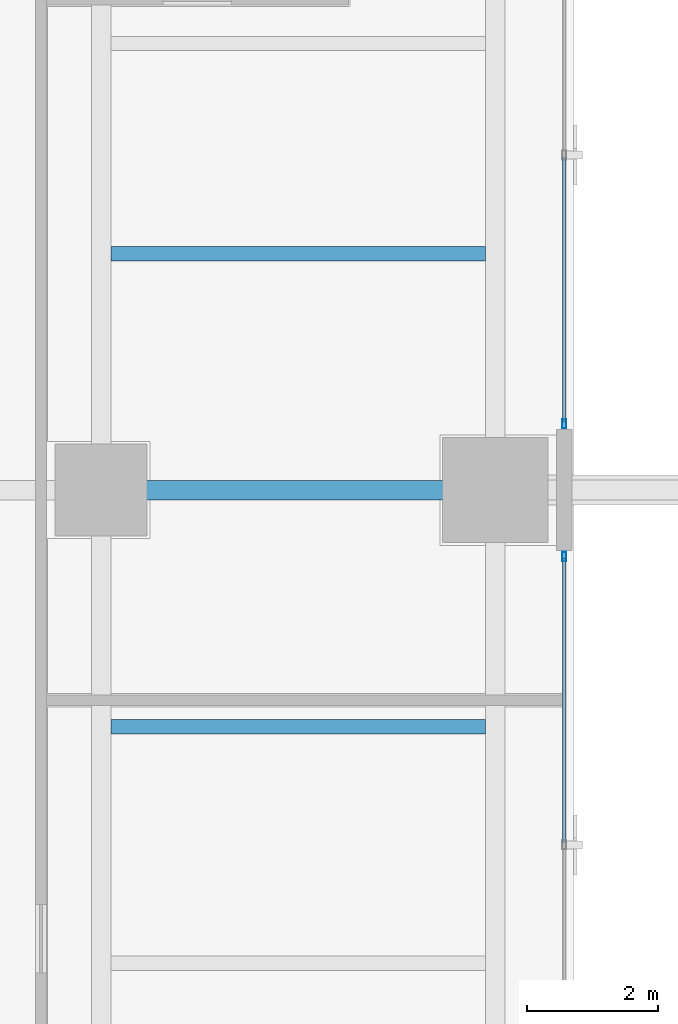
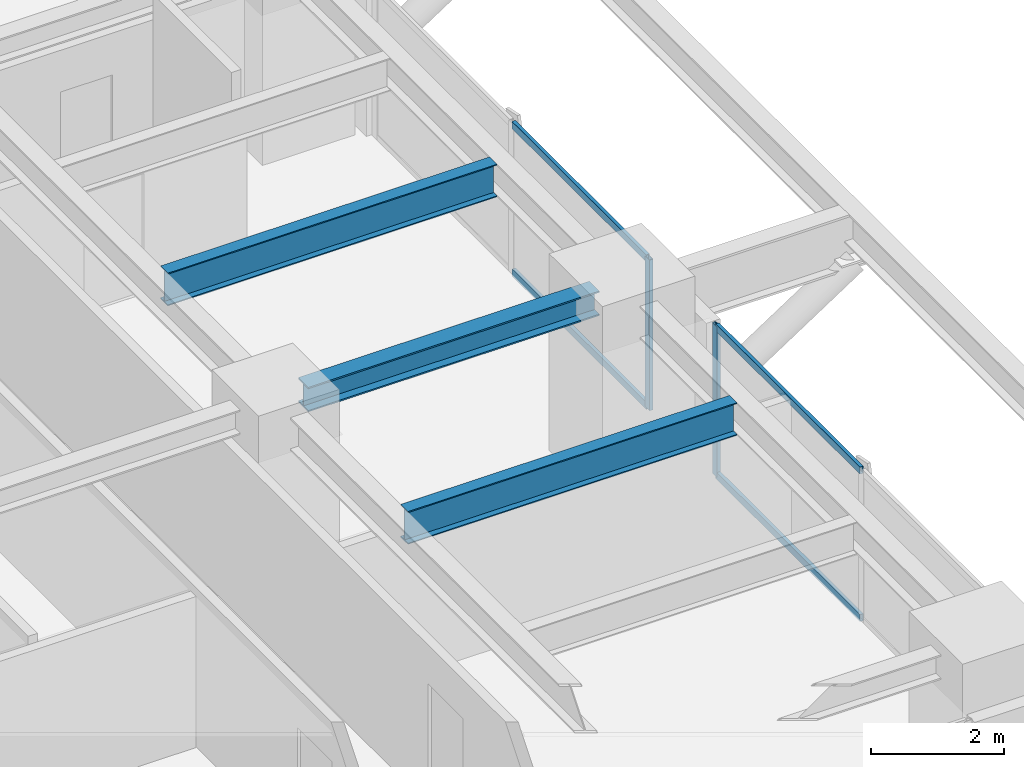
# One storey, part 15 of 31: 6 members, 3 beams, 2 elements without a shape of their own.
"""IFC4 building model written with IfcOpenShell, lengths in metres."""

from ifc_helpers import new_model, si_unit, direction, frame, origin, origin_2d, place, context, subcontext, project, spatial, hollow_rectangle, i_section, extrude, source, transform, mapped, material, layer, layer_set, material_profile, profile_set, type_object, element, aggregate, save


model = new_model("IFC4")

# Units and contexts
model_context = context("Model", 3, precision=1e-05, world=origin(), true_north=direction((0.0, 1.0)))
body_context = subcontext(model_context, "Body", "Model", "MODEL_VIEW")
ifc_project = project(units=[si_unit("LENGTHUNIT", "METRE"), si_unit("AREAUNIT", "SQUARE_METRE"), si_unit("VOLUMEUNIT", "CUBIC_METRE"), si_unit("PLANEANGLEUNIT", "RADIAN"), si_unit("MASSUNIT", "GRAM", prefix="KILO")], contexts=[model_context])

# Site, building, storey
site_placement = place(None, origin())
site = spatial("IfcSite", under=ifc_project, at=site_placement, CompositionType="ELEMENT")
building_placement = place(site_placement, origin())
building = spatial("IfcBuilding", under=site, at=building_placement, Name="Sumidabori Civic Tower", CompositionType="ELEMENT")
storey_placement = place(building_placement, frame((0.0, 0.0, 221.60009765625)))
storey = spatial("IfcBuildingStorey", under=building, at=storey_placement, Name="L57", CompositionType="ELEMENT", Elevation=221.60009765625)

# Beams
ifc_material_1 = material(Name="Steel SN490", Category="steel")
ifc_material_profile_1 = material_profile(ifc_material_1, i_section(OverallWidth=0.219970703125, OverallDepth=0.60009765625, WebThickness=0.011962890625, FlangeThickness=0.01904296875, at=origin_2d()), Name="IPE 600")
ifc_profile_set_1 = profile_set([ifc_material_profile_1], Name="Steel SN490")
beam_type_1 = type_object("IfcBeamType", Name="BM-JST-600", PredefinedType="JOIST", material=ifc_profile_set_1)
shared_shape_1 = source(origin(), body_context, "Body", "SweptSolid", [
    extrude(i_section(OverallWidth=0.219970703125, OverallDepth=0.60009765625, WebThickness=0.011962890625, FlangeThickness=0.01904296875, at=origin_2d()), origin(), (0.0, 0.0, 1.0), 5.699951171875),
])
for number, where, z_axis, x_axis, name in (
    (1, (16.949951171875, -3.60009765625, 3.079833984375), (1.0, 0.0, 0.0), (0.0, 1.0, 0.0), "Outer Bay Floor Joist L57 JSTO-28"),
    (2, (16.949951171875, 3.60009765625, 3.079833984375), (1.0, 0.0, 0.0), (0.0, 1.0, 0.0), "Outer Bay Floor Joist L57 JSTO-30"),
):
    element("IfcBeam", number, at=place(storey_placement, frame(where, z_axis=z_axis, x_axis=x_axis)), inside=storey, type_object=beam_type_1, Name=name, PredefinedType="JOIST", context=body_context, shape_type="MappedRepresentation", body=[
        mapped(shared_shape_1, transform((0.0, 0.0, 0.0), x_axis=(1.0, 0.0, 0.0), y_axis=(0.0, 1.0, 0.0), z_axis=(0.0, 0.0, 1.0), scale=1.0)),
    ])
ifc_material_profile_2 = material_profile(ifc_material_1, i_section(OverallWidth=0.300048828125, OverallDepth=0.449951171875, WebThickness=0.013916015625, FlangeThickness=0.02587890625, at=origin_2d()), Name="HE 450 B")
ifc_profile_set_2 = profile_set([ifc_material_profile_2], Name="Steel SN490")
beam_type_2 = type_object("IfcBeamType", Name="BM-GIRD-450", PredefinedType="BEAM", material=ifc_profile_set_2)
shared_shape_2 = source(origin(), body_context, "Body", "SweptSolid", [
    extrude(i_section(OverallWidth=0.300048828125, OverallDepth=0.449951171875, WebThickness=0.013916015625, FlangeThickness=0.02587890625, at=origin_2d()), origin(), (0.0, 0.0, 1.0), 5.0400390625),
])
beam_placement = place(storey_placement, frame((17.280029296875, 0.0, 3.15478515625), z_axis=(1.0, 0.0, 0.0), x_axis=(0.0, 1.0, 0.0)))
element("IfcBeam", 3, at=beam_placement, inside=storey, type_object=beam_type_2, Name="Primary Girder L57 GX-08", PredefinedType="BEAM", context=body_context, shape_type="MappedRepresentation", body=[
    mapped(shared_shape_2, transform((0.0, 0.0, 0.0), x_axis=(1.0, 0.0, 0.0), y_axis=(0.0, 1.0, 0.0), z_axis=(0.0, 0.0, 1.0), scale=1.0)),
])

# Curtain wall, member
ifc_material_2 = material(Name="Anodised Bronze Aluminium AW-6063-T6", Category="aluminium")
ifc_layer = layer(ifc_material_2, 0.179931640625, Name="Anodised Bronze Aluminium AW-6063-T6")
ifc_layer_set = layer_set([ifc_layer], Name="Anodised Bronze Aluminium AW-6063-T6")
curtain_wall_type = type_object("IfcCurtainWallType", Name="CW-SYS-5", PredefinedType="NOTDEFINED", material=ifc_layer_set)
curtain_wall_1_placement = place(storey_placement, origin())
curtain_wall_1 = element("IfcCurtainWall", 4, at=curtain_wall_1_placement, inside=storey, type_object=curtain_wall_type, Name="Curtain Wall CW:L57:R14", PredefinedType="NOTDEFINED")
ifc_material_profile_3 = material_profile(ifc_material_2, hollow_rectangle(XDim=0.06005859375, YDim=0.139892578125, WallThickness=0.0048828125, at=origin_2d()), Name="ALU MULLION 140x60")
ifc_profile_set_3 = profile_set([ifc_material_profile_3], Name="Anodised Bronze Aluminium AW-6063-T6")
member_type_1 = type_object("IfcMemberType", Name="CW-MUL-140", PredefinedType="MULLION", material=ifc_profile_set_3)
shared_shape_3 = source(origin(), body_context, "Body", "SweptSolid", [
    extrude(hollow_rectangle(XDim=0.06005859375, YDim=0.139892578125, WallThickness=0.0048828125, at=origin_2d()), origin(), (0.0, 0.0, 1.0), 2.760009765625),
])
member_1_placement = place(storey_placement, frame((23.85009765625, -1.010009765625, 0.0), z_axis=(0.0, 0.0, 1.0), x_axis=(-1.0, 0.0, 0.0)))
member_1 = element("IfcMember", 5, at=member_1_placement, type_object=member_type_1, Name="CW-5 mullion 3", PredefinedType="MULLION", context=body_context, shape_type="MappedRepresentation", body=[
    mapped(shared_shape_3, transform((0.0, 0.0, 0.0), x_axis=(1.0, 0.0, 0.0), y_axis=(0.0, 1.0, 0.0), z_axis=(0.0, 0.0, 1.0), scale=1.0)),
])

curtain_wall_2_placement = place(storey_placement, origin())
curtain_wall_2 = element("IfcCurtainWall", 6, at=curtain_wall_2_placement, inside=storey, type_object=curtain_wall_type, Name="Curtain Wall CW:L57:R15", PredefinedType="NOTDEFINED")
member_2_placement = place(storey_placement, frame((23.85009765625, 1.010009765625, 0.0), z_axis=(0.0, 0.0, 1.0), x_axis=(-1.0, 0.0, 0.0)))
member_2 = element("IfcMember", 7, at=member_2_placement, type_object=member_type_1, Name="CW-5 mullion 1", PredefinedType="MULLION", context=body_context, shape_type="MappedRepresentation", body=[
    mapped(shared_shape_3, transform((0.0, 0.0, 0.0), x_axis=(1.0, 0.0, 0.0), y_axis=(0.0, 1.0, 0.0), z_axis=(0.0, 0.0, 1.0), scale=1.0)),
])

# Member
ifc_material_profile_4 = material_profile(ifc_material_2, hollow_rectangle(XDim=0.06005859375, YDim=0.1298828125, WallThickness=0.0048828125, at=origin_2d()), Name="ALU TRANSOM 130x60")
ifc_profile_set_4 = profile_set([ifc_material_profile_4], Name="Anodised Bronze Aluminium AW-6063-T6")
member_type_2 = type_object("IfcMemberType", Name="CW-TRN-130", PredefinedType="USERDEFINED", material=ifc_profile_set_4)
shared_shape_4 = source(origin(), body_context, "Body", "SweptSolid", [
    extrude(hollow_rectangle(XDim=0.06005859375, YDim=0.1298828125, WallThickness=0.0048828125, at=origin_2d()), origin(), (0.0, 0.0, 1.0), 4.330078125),
])
member_3_placement = place(storey_placement, frame((23.85009765625, -5.3701171875, 0.02978515625), z_axis=(0.0, 1.0, 0.0), x_axis=(-1.0, 0.0, 0.0)))
member_3 = element("IfcMember", 8, at=member_3_placement, type_object=member_type_2, Name="CW-5 transom 2.1", ObjectType="TRANSOM", PredefinedType="USERDEFINED", context=body_context, shape_type="MappedRepresentation", body=[
    mapped(shared_shape_4, transform((0.0, 0.0, 0.0), x_axis=(1.0, 0.0, 0.0), y_axis=(0.0, 1.0, 0.0), z_axis=(0.0, 0.0, 1.0), scale=1.0)),
])

member_4_placement = place(storey_placement, frame((23.85009765625, -5.3701171875, 2.72998046875), z_axis=(0.0, 1.0, 0.0), x_axis=(-1.0, 0.0, 0.0)))
member_4 = element("IfcMember", 9, at=member_4_placement, type_object=member_type_2, Name="CW-5 transom 2.2", ObjectType="TRANSOM", PredefinedType="USERDEFINED", context=body_context, shape_type="MappedRepresentation", body=[
    mapped(shared_shape_4, transform((0.0, 0.0, 0.0), x_axis=(1.0, 0.0, 0.0), y_axis=(0.0, 1.0, 0.0), z_axis=(0.0, 0.0, 1.0), scale=1.0)),
])

aggregate(curtain_wall_1, [member_1, member_3, member_4])

shared_shape_5 = source(origin(), body_context, "Body", "SweptSolid", [
    extrude(hollow_rectangle(XDim=0.06005859375, YDim=0.1298828125, WallThickness=0.0048828125, at=origin_2d()), origin(), (0.0, 0.0, 1.0), 4.030029296875),
])
member_5_placement = place(storey_placement, frame((23.85009765625, 1.0400390625, 0.02978515625), z_axis=(0.0, 1.0, 0.0), x_axis=(-1.0, 0.0, 0.0)))
member_5 = element("IfcMember", 10, at=member_5_placement, type_object=member_type_2, Name="CW-5 transom 1.1", ObjectType="TRANSOM", PredefinedType="USERDEFINED", context=body_context, shape_type="MappedRepresentation", body=[
    mapped(shared_shape_5, transform((0.0, 0.0, 0.0), x_axis=(1.0, 0.0, 0.0), y_axis=(0.0, 1.0, 0.0), z_axis=(0.0, 0.0, 1.0), scale=1.0)),
])

member_6_placement = place(storey_placement, frame((23.85009765625, 1.0400390625, 2.72998046875), z_axis=(0.0, 1.0, 0.0), x_axis=(-1.0, 0.0, 0.0)))
member_6 = element("IfcMember", 11, at=member_6_placement, type_object=member_type_2, Name="CW-5 transom 1.2", ObjectType="TRANSOM", PredefinedType="USERDEFINED", context=body_context, shape_type="MappedRepresentation", body=[
    mapped(shared_shape_5, transform((0.0, 0.0, 0.0), x_axis=(1.0, 0.0, 0.0), y_axis=(0.0, 1.0, 0.0), z_axis=(0.0, 0.0, 1.0), scale=1.0)),
])

aggregate(curtain_wall_2, [member_2, member_5, member_6])

save(model, "model.ifc")
